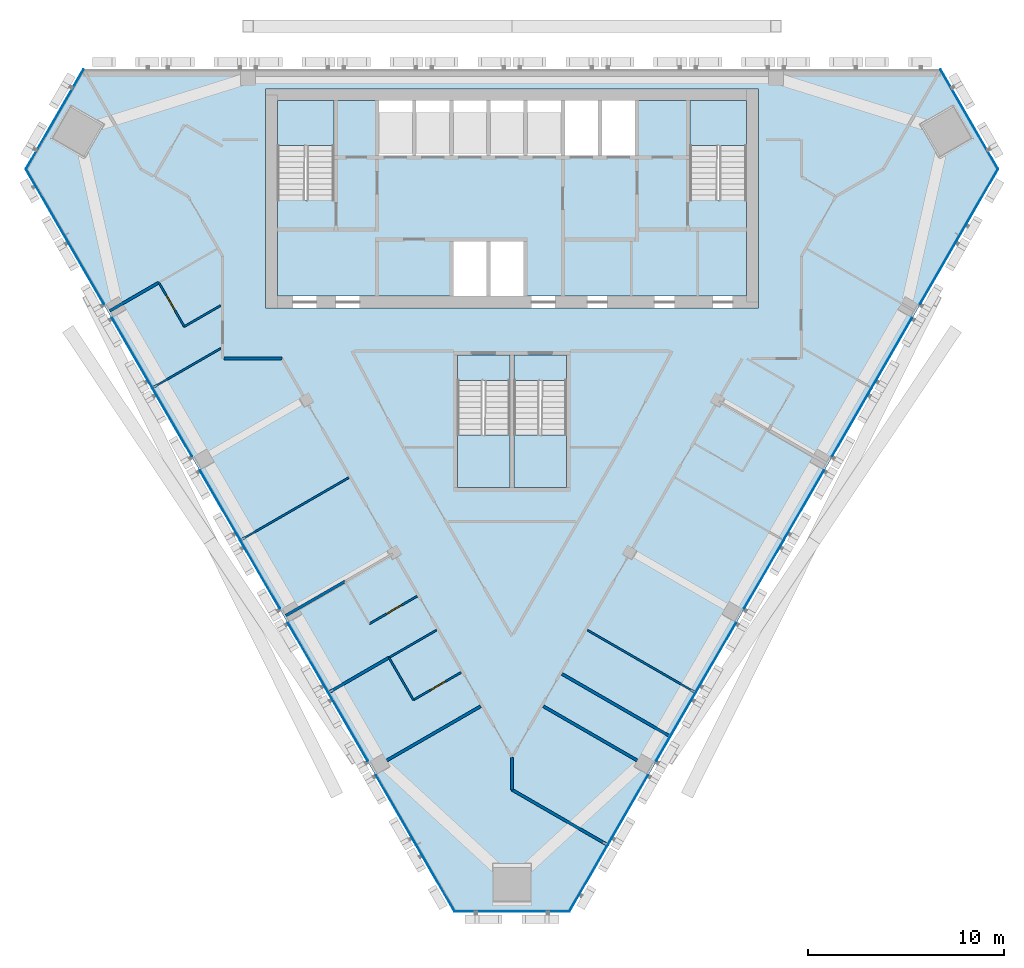
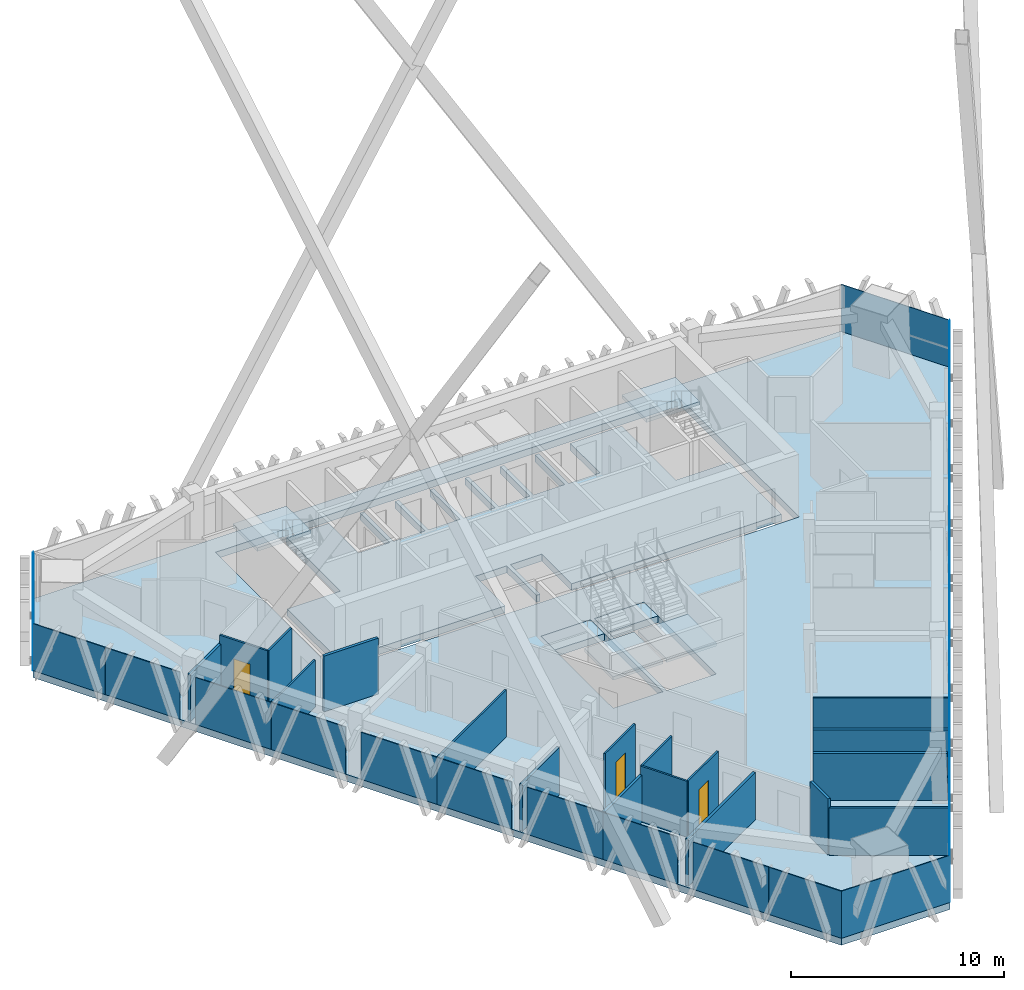
# One storey, part 15 of 22: 23 plates, 18 walls, 8 slabs, 3 doors, 3 openings, 9 elements without a shape of their own.
"""IFC4 building model written with IfcOpenShell, lengths in metres."""

from ifc_helpers import new_model, si_unit, direction, frame, frame_2d, origin, origin_2d, place, context, subcontext, project, spatial, polyline, rectangle, outline, extrude, material, layer, layer_set, type_object, element, fill, aggregate, save


model = new_model("IFC4")

# Units and contexts
model_context = context("Model", 3, precision=1e-05, world=origin(), true_north=direction((0.0, 1.0)))
body_context = subcontext(model_context, "Body", "Model", "MODEL_VIEW")
ifc_project = project(units=[si_unit("LENGTHUNIT", "METRE"), si_unit("AREAUNIT", "SQUARE_METRE"), si_unit("VOLUMEUNIT", "CUBIC_METRE"), si_unit("PLANEANGLEUNIT", "RADIAN"), si_unit("MASSUNIT", "GRAM", prefix="KILO")], contexts=[model_context])

# Site, building, storey
site_placement = place(None, origin())
site = spatial("IfcSite", under=ifc_project, at=site_placement, CompositionType="ELEMENT")
building_placement = place(site_placement, origin())
building = spatial("IfcBuilding", under=site, at=building_placement, Name="Altiplano Prism Tower", CompositionType="ELEMENT")
storey_placement = place(building_placement, frame((0.0, 0.0, 219.39990234375)))
storey = spatial("IfcBuildingStorey", under=building, at=storey_placement, Name="L56", CompositionType="ELEMENT", Elevation=219.39990234375)

# Curtain wall, plate
ifc_material_1 = material(Name="Aluminium and glass", Category="aluminium")
ifc_layer_1 = layer(ifc_material_1, 0.280029296875)
ifc_layer_set_1 = layer_set([ifc_layer_1], Name="Aluminium and glass")
curtain_wall_type = type_object("IfcCurtainWallType", Name="CW1 typical co-living unitised curtain wall", PredefinedType="NOTDEFINED", material=ifc_layer_set_1)
curtain_wall_1_placement = place(storey_placement, origin())
curtain_wall_1 = element("IfcCurtainWall", 1, at=curtain_wall_1_placement, inside=storey, type_object=curtain_wall_type, Name="CW1 curtain wall north-west chamfer L56", PredefinedType="NOTDEFINED")
ifc_material_2 = material(Name="Clear glass", Category="glass")
ifc_layer_2 = layer(ifc_material_2, 0.0400390625)
ifc_layer_set_2 = layer_set([ifc_layer_2], Name="Clear glass")
plate_type = type_object("IfcPlateType", Name="CW1 insulated glass unit 40", PredefinedType="CURTAIN_PANEL", material=ifc_layer_set_2)
plate_1_placement = place(storey_placement, frame((61.609130859375, 102.441162109375, 0.0), z_axis=(0.0, 0.0, 1.0), x_axis=(-0.499999937636, -0.866025439791, 0.0)))
plate_1 = element("IfcPlate", 2, at=plate_1_placement, type_object=plate_type, Name="CW1 panel", PredefinedType="CURTAIN_PANEL", context=body_context, shape_type="SweptSolid", body=[
    extrude(rectangle(XDim=5.87646484375, YDim=0.0400390625, at=origin_2d()), origin(), (0.0, 0.0, 1.0), 2.699951171875),
])
aggregate(curtain_wall_1, [plate_1])

# Curtain wall, plates
curtain_wall_2_placement = place(storey_placement, origin())
curtain_wall_2 = element("IfcCurtainWall", 3, at=curtain_wall_2_placement, inside=storey, type_object=curtain_wall_type, Name="CW1 curtain wall south-west face L56", PredefinedType="NOTDEFINED")
plate_2_placement = place(storey_placement, frame((61.12158203125, 98.20751953125, 0.0), z_axis=(0.0, 0.0, 1.0), x_axis=(0.499999979958, -0.866025415356, 0.0)))
plate_2 = element("IfcPlate", 4, at=plate_2_placement, type_object=plate_type, Name="CW1 panel", PredefinedType="CURTAIN_PANEL", context=body_context, shape_type="SweptSolid", body=[
    extrude(rectangle(XDim=3.9267578125, YDim=0.0400390625, at=origin_2d()), origin(), (0.0, 0.0, 1.0), 2.699951171875),
])
plate_3_placement = place(storey_placement, frame((63.1171875, 94.751220703125, 0.0), z_axis=(0.0, 0.0, 1.0), x_axis=(0.499999979958, -0.866025415356, 0.0)))
plate_3 = element("IfcPlate", 5, at=plate_3_placement, type_object=plate_type, Name="CW1 panel", PredefinedType="CURTAIN_PANEL", context=body_context, shape_type="SweptSolid", body=[
    extrude(rectangle(XDim=4.035400390625, YDim=0.0400390625, at=origin_2d()), origin(), (0.0, 0.0, 1.0), 2.699951171875),
])
plate_4_placement = place(storey_placement, frame((65.57470703125, 90.49462890625, 0.0), z_axis=(0.0, 0.0, 1.0), x_axis=(0.499999979958, -0.866025415356, 0.0)))
plate_4 = element("IfcPlate", 6, at=plate_4_placement, type_object=plate_type, Name="CW1 panel", PredefinedType="CURTAIN_PANEL", context=body_context, shape_type="SweptSolid", body=[
    extrude(rectangle(XDim=4.114501953125, YDim=0.0400390625, at=origin_2d()), origin(), (0.0, 0.0, 1.0), 2.699951171875),
])
plate_5_placement = place(storey_placement, frame((67.6171875, 86.95703125, 0.0), z_axis=(0.0, 0.0, 1.0), x_axis=(0.499999979958, -0.866025415356, 0.0)))
plate_5 = element("IfcPlate", 7, at=plate_5_placement, type_object=plate_type, Name="CW1 panel", PredefinedType="CURTAIN_PANEL", context=body_context, shape_type="SweptSolid", body=[
    extrude(rectangle(XDim=4.035400390625, YDim=0.0400390625, at=origin_2d()), origin(), (0.0, 0.0, 1.0), 2.699951171875),
])
plate_6_placement = place(storey_placement, frame((70.07470703125, 82.700439453125, 0.0), z_axis=(0.0, 0.0, 1.0), x_axis=(0.499999979958, -0.866025415356, 0.0)))
plate_6 = element("IfcPlate", 8, at=plate_6_placement, type_object=plate_type, Name="CW1 panel", PredefinedType="CURTAIN_PANEL", context=body_context, shape_type="SweptSolid", body=[
    extrude(rectangle(XDim=4.114501953125, YDim=0.0400390625, at=origin_2d()), origin(), (0.0, 0.0, 1.0), 2.699951171875),
])
plate_7_placement = place(storey_placement, frame((72.1171875, 79.162841796875, 0.0), z_axis=(0.0, 0.0, 1.0), x_axis=(0.499999979958, -0.866025415356, 0.0)))
plate_7 = element("IfcPlate", 9, at=plate_7_placement, type_object=plate_type, Name="CW1 panel", PredefinedType="CURTAIN_PANEL", context=body_context, shape_type="SweptSolid", body=[
    extrude(rectangle(XDim=4.035400390625, YDim=0.0400390625, at=origin_2d()), origin(), (0.0, 0.0, 1.0), 2.699951171875),
])
plate_8_placement = place(storey_placement, frame((74.57470703125, 74.90625, 0.0), z_axis=(0.0, 0.0, 1.0), x_axis=(0.499999979958, -0.866025415356, 0.0)))
plate_8 = element("IfcPlate", 10, at=plate_8_placement, type_object=plate_type, Name="CW1 panel", PredefinedType="CURTAIN_PANEL", context=body_context, shape_type="SweptSolid", body=[
    extrude(rectangle(XDim=4.114501953125, YDim=0.0400390625, at=origin_2d()), origin(), (0.0, 0.0, 1.0), 2.699951171875),
])
plate_9_placement = place(storey_placement, frame((76.6171875, 71.36865234375, 0.0), z_axis=(0.0, 0.0, 1.0), x_axis=(0.499999979958, -0.866025415356, 0.0)))
plate_9 = element("IfcPlate", 11, at=plate_9_placement, type_object=plate_type, Name="CW1 panel", PredefinedType="CURTAIN_PANEL", context=body_context, shape_type="SweptSolid", body=[
    extrude(rectangle(XDim=4.035400390625, YDim=0.0400390625, at=origin_2d()), origin(), (0.0, 0.0, 1.0), 2.699951171875),
])
plate_10_placement = place(storey_placement, frame((79.07470703125, 67.112060546875, 0.0), z_axis=(0.0, 0.0, 1.0), x_axis=(0.499999979958, -0.866025415356, 0.0)))
plate_10 = element("IfcPlate", 12, at=plate_10_placement, type_object=plate_type, Name="CW1 panel", PredefinedType="CURTAIN_PANEL", context=body_context, shape_type="SweptSolid", body=[
    extrude(rectangle(XDim=4.114501953125, YDim=0.0400390625, at=origin_2d()), origin(), (0.0, 0.0, 1.0), 2.699951171875),
])
plate_11_placement = place(storey_placement, frame((81.08984375, 63.621337890625, 0.0), z_axis=(0.0, 0.0, 1.0), x_axis=(0.499999979958, -0.866025415356, 0.0)))
plate_11 = element("IfcPlate", 13, at=plate_11_placement, type_object=plate_type, Name="CW1 panel", PredefinedType="CURTAIN_PANEL", context=body_context, shape_type="SweptSolid", body=[
    extrude(rectangle(XDim=3.9267578125, YDim=0.0400390625, at=origin_2d()), origin(), (0.0, 0.0, 1.0), 2.699951171875),
])
aggregate(curtain_wall_2, [plate_2, plate_3, plate_4, plate_5, plate_6, plate_7, plate_8, plate_9, plate_10, plate_11])

# Curtain wall, plate
curtain_wall_3_placement = place(storey_placement, origin())
curtain_wall_3 = element("IfcCurtainWall", 14, at=curtain_wall_3_placement, inside=storey, type_object=curtain_wall_type, Name="CW1 curtain wall south chamfer L56", PredefinedType="NOTDEFINED")
plate_12_placement = place(storey_placement, frame((85.0, 61.9267578125, 0.0), z_axis=(0.0, 0.0, 1.0), x_axis=(1.0, 0.0, 0.0)))
plate_12 = element("IfcPlate", 15, at=plate_12_placement, type_object=plate_type, Name="CW1 panel", PredefinedType="CURTAIN_PANEL", context=body_context, shape_type="SweptSolid", body=[
    extrude(rectangle(XDim=5.87646484375, YDim=0.0400390625, at=origin_2d()), origin(), (0.0, 0.0, 1.0), 2.699951171875),
])
aggregate(curtain_wall_3, [plate_12])

# Curtain wall, plates
curtain_wall_4_placement = place(storey_placement, origin())
curtain_wall_4 = element("IfcCurtainWall", 16, at=curtain_wall_4_placement, inside=storey, type_object=curtain_wall_type, Name="CW1 curtain wall south-east face L56", PredefinedType="NOTDEFINED")
plate_13_placement = place(storey_placement, frame((88.91015625, 63.621337890625, 0.0), z_axis=(0.0, 0.0, 1.0), x_axis=(0.499999979958, 0.866025415356, 0.0)))
plate_13 = element("IfcPlate", 17, at=plate_13_placement, type_object=plate_type, Name="CW1 panel", PredefinedType="CURTAIN_PANEL", context=body_context, shape_type="SweptSolid", body=[
    extrude(rectangle(XDim=3.9267578125, YDim=0.0400390625, at=origin_2d()), origin(), (0.0, 0.0, 1.0), 2.699951171875),
])
plate_14_placement = place(storey_placement, frame((90.92529296875, 67.112060546875, 0.0), z_axis=(0.0, 0.0, 1.0), x_axis=(0.499999979958, 0.866025415356, 0.0)))
plate_14 = element("IfcPlate", 18, at=plate_14_placement, type_object=plate_type, Name="CW1 panel", PredefinedType="CURTAIN_PANEL", context=body_context, shape_type="SweptSolid", body=[
    extrude(rectangle(XDim=4.114501953125, YDim=0.0400390625, at=origin_2d()), origin(), (0.0, 0.0, 1.0), 2.699951171875),
])
plate_15_placement = place(storey_placement, frame((93.3828125, 71.36865234375, 0.0), z_axis=(0.0, 0.0, 1.0), x_axis=(0.499999979958, 0.866025415356, 0.0)))
plate_15 = element("IfcPlate", 19, at=plate_15_placement, type_object=plate_type, Name="CW1 panel", PredefinedType="CURTAIN_PANEL", context=body_context, shape_type="SweptSolid", body=[
    extrude(rectangle(XDim=4.035400390625, YDim=0.0400390625, at=origin_2d()), origin(), (0.0, 0.0, 1.0), 2.699951171875),
])
plate_16_placement = place(storey_placement, frame((95.42529296875, 74.90625, 0.0), z_axis=(0.0, 0.0, 1.0), x_axis=(0.499999979958, 0.866025415356, 0.0)))
plate_16 = element("IfcPlate", 20, at=plate_16_placement, type_object=plate_type, Name="CW1 panel", PredefinedType="CURTAIN_PANEL", context=body_context, shape_type="SweptSolid", body=[
    extrude(rectangle(XDim=4.114501953125, YDim=0.0400390625, at=origin_2d()), origin(), (0.0, 0.0, 1.0), 2.699951171875),
])
plate_17_placement = place(storey_placement, frame((97.8828125, 79.162841796875, 0.0), z_axis=(0.0, 0.0, 1.0), x_axis=(0.499999979958, 0.866025415356, 0.0)))
plate_17 = element("IfcPlate", 21, at=plate_17_placement, type_object=plate_type, Name="CW1 panel", PredefinedType="CURTAIN_PANEL", context=body_context, shape_type="SweptSolid", body=[
    extrude(rectangle(XDim=4.035400390625, YDim=0.0400390625, at=origin_2d()), origin(), (0.0, 0.0, 1.0), 2.699951171875),
])
plate_18_placement = place(storey_placement, frame((99.92529296875, 82.700439453125, 0.0), z_axis=(0.0, 0.0, 1.0), x_axis=(0.499999979958, 0.866025415356, 0.0)))
plate_18 = element("IfcPlate", 22, at=plate_18_placement, type_object=plate_type, Name="CW1 panel", PredefinedType="CURTAIN_PANEL", context=body_context, shape_type="SweptSolid", body=[
    extrude(rectangle(XDim=4.114501953125, YDim=0.0400390625, at=origin_2d()), origin(), (0.0, 0.0, 1.0), 2.699951171875),
])
plate_19_placement = place(storey_placement, frame((102.3828125, 86.95703125, 0.0), z_axis=(0.0, 0.0, 1.0), x_axis=(0.499999979958, 0.866025415356, 0.0)))
plate_19 = element("IfcPlate", 23, at=plate_19_placement, type_object=plate_type, Name="CW1 panel", PredefinedType="CURTAIN_PANEL", context=body_context, shape_type="SweptSolid", body=[
    extrude(rectangle(XDim=4.035400390625, YDim=0.0400390625, at=origin_2d()), origin(), (0.0, 0.0, 1.0), 2.699951171875),
])
plate_20_placement = place(storey_placement, frame((104.42529296875, 90.49462890625, 0.0), z_axis=(0.0, 0.0, 1.0), x_axis=(0.499999979958, 0.866025415356, 0.0)))
plate_20 = element("IfcPlate", 24, at=plate_20_placement, type_object=plate_type, Name="CW1 panel", PredefinedType="CURTAIN_PANEL", context=body_context, shape_type="SweptSolid", body=[
    extrude(rectangle(XDim=4.114501953125, YDim=0.0400390625, at=origin_2d()), origin(), (0.0, 0.0, 1.0), 2.699951171875),
])
plate_21_placement = place(storey_placement, frame((106.8828125, 94.751220703125, 0.0), z_axis=(0.0, 0.0, 1.0), x_axis=(0.499999979958, 0.866025415356, 0.0)))
plate_21 = element("IfcPlate", 25, at=plate_21_placement, type_object=plate_type, Name="CW1 panel", PredefinedType="CURTAIN_PANEL", context=body_context, shape_type="SweptSolid", body=[
    extrude(rectangle(XDim=4.035400390625, YDim=0.0400390625, at=origin_2d()), origin(), (0.0, 0.0, 1.0), 2.699951171875),
])
plate_22_placement = place(storey_placement, frame((108.87841796875, 98.20751953125, 0.0), z_axis=(0.0, 0.0, 1.0), x_axis=(0.499999979958, 0.866025415356, 0.0)))
plate_22 = element("IfcPlate", 26, at=plate_22_placement, type_object=plate_type, Name="CW1 panel", PredefinedType="CURTAIN_PANEL", context=body_context, shape_type="SweptSolid", body=[
    extrude(rectangle(XDim=3.9267578125, YDim=0.0400390625, at=origin_2d()), origin(), (0.0, 0.0, 1.0), 2.699951171875),
])
aggregate(curtain_wall_4, [plate_13, plate_14, plate_15, plate_16, plate_17, plate_18, plate_19, plate_20, plate_21, plate_22])

# Curtain wall, plate
curtain_wall_5_placement = place(storey_placement, origin())
curtain_wall_5 = element("IfcCurtainWall", 27, at=curtain_wall_5_placement, inside=storey, type_object=curtain_wall_type, Name="CW1 curtain wall north-east chamfer L56", PredefinedType="NOTDEFINED")
plate_23_placement = place(storey_placement, frame((108.390869140625, 102.441162109375, 0.0), z_axis=(0.0, 0.0, 1.0), x_axis=(-0.499999937636, 0.866025439791, 0.0)))
plate_23 = element("IfcPlate", 28, at=plate_23_placement, type_object=plate_type, Name="CW1 panel", PredefinedType="CURTAIN_PANEL", context=body_context, shape_type="SweptSolid", body=[
    extrude(rectangle(XDim=5.87646484375, YDim=0.0400390625, at=origin_2d()), origin(), (0.0, 0.0, 1.0), 2.699951171875),
])
aggregate(curtain_wall_5, [plate_23])

# Slabs
ifc_material_3 = material(Name="Concrete C40/50", Category="concrete")
ifc_layer_3 = layer(ifc_material_3, 0.39990234375)
ifc_layer_set_3 = layer_set([ifc_layer_3], Name="Concrete C40/50")
slab_type_1 = type_object("IfcSlabType", Name="Core floor slab 400", PredefinedType="FLOOR", material=ifc_layer_set_3)
slab_1_placement = place(storey_placement, frame((0.0, 0.0, -0.39990234375)))
element("IfcSlab", 29, at=slab_1_placement, inside=storey, type_object=slab_type_1, Name="Core floor slab L56", PredefinedType="FLOOR", context=body_context, shape_type="SweptSolid", body=[
    extrude(outline(polyline([(97.0, 98.31005859375), (94.10009765625, 98.31005859375), (94.10009765625, 103.39990234375), (91.300048828125, 103.39990234375), (91.300048828125, 100.60009765625), (89.60009765625, 100.60009765625), (89.60009765625, 103.39990234375), (89.39990234375, 103.39990234375), (89.39990234375, 100.60009765625), (87.699951171875, 100.60009765625), (87.699951171875, 103.39990234375), (87.5, 103.39990234375), (87.5, 100.60009765625), (85.800048828125, 100.60009765625), (85.800048828125, 103.39990234375), (85.60009765625, 103.39990234375), (85.60009765625, 100.60009765625), (83.89990234375, 100.60009765625), (83.89990234375, 103.39990234375), (83.699951171875, 103.39990234375), (83.699951171875, 100.60009765625), (82.0, 100.60009765625), (82.0, 103.39990234375), (81.800048828125, 103.39990234375), (81.800048828125, 100.60009765625), (80.10009765625, 100.60009765625), (80.10009765625, 103.39990234375), (79.89990234375, 103.39990234375), (79.89990234375, 100.60009765625), (78.199951171875, 100.60009765625), (78.199951171875, 103.39990234375), (75.89990234375, 103.39990234375), (75.89990234375, 98.31005859375), (73.0, 98.31005859375), (73.0, 93.39990234375), (82.0, 93.39990234375), (82.0, 96.199951171875), (83.699951171875, 96.199951171875), (83.699951171875, 93.39990234375), (83.89990234375, 93.39990234375), (83.89990234375, 96.199951171875), (85.60009765625, 96.199951171875), (85.60009765625, 93.39990234375), (97.0, 93.39990234375), (97.0, 98.31005859375)])), origin(), (0.0, 0.0, 1.0), 0.39990234375),
])
slab_2_placement = place(storey_placement, frame((0.0, 0.0, -0.39990234375)))
element("IfcSlab", 30, at=slab_2_placement, inside=storey, type_object=slab_type_1, Name="Stair 3A landing slab L56", PredefinedType="FLOOR", context=body_context, shape_type="SweptSolid", body=[
    extrude(outline(polyline([(82.199951171875, 89.096923828125), (84.89990234375, 89.096923828125), (84.89990234375, 90.39990234375), (82.199951171875, 90.39990234375), (82.199951171875, 89.096923828125)])), origin(), (0.0, 0.0, 1.0), 0.39990234375),
])
slab_3_placement = place(storey_placement, frame((0.0, 0.0, -0.39990234375)))
element("IfcSlab", 31, at=slab_3_placement, inside=storey, type_object=slab_type_1, Name="Stair 3B landing slab L56", PredefinedType="FLOOR", context=body_context, shape_type="SweptSolid", body=[
    extrude(outline(polyline([(85.10009765625, 89.096923828125), (87.800048828125, 89.096923828125), (87.800048828125, 90.39990234375), (85.10009765625, 90.39990234375), (85.10009765625, 89.096923828125)])), origin(), (0.0, 0.0, 1.0), 0.39990234375),
])
ifc_layer_4 = layer(ifc_material_3, 0.39990234375)
ifc_layer_set_4 = layer_set([ifc_layer_4], Name="Concrete C40/50")
slab_type_2 = type_object("IfcSlabType", Name="Post-tensioned flat slab 400", PredefinedType="FLOOR", material=ifc_layer_set_4)
slab_4_placement = place(storey_placement, frame((0.0, 0.0, -0.39990234375)))
element("IfcSlab", 32, at=slab_4_placement, inside=storey, type_object=slab_type_2, Name="Floor slab L56", PredefinedType="FLOOR", context=body_context, shape_type="SweptSolid", body=[
    extrude(outline(polyline([(82.056884765625, 61.90673828125), (60.1201171875, 99.90234375), (63.063232421875, 105.0), (106.936767578125, 105.0), (109.8798828125, 99.90234375), (87.943115234375, 61.90673828125), (82.056884765625, 61.90673828125)]), holes=[polyline([(72.39990234375, 104.0), (72.39990234375, 92.800048828125), (97.60009765625, 92.800048828125), (97.60009765625, 104.0), (72.39990234375, 104.0)]), polyline([(84.89990234375, 90.39990234375), (82.199951171875, 90.39990234375), (82.199951171875, 83.60009765625), (84.89990234375, 83.60009765625), (84.89990234375, 90.39990234375)]), polyline([(87.800048828125, 83.60009765625), (87.800048828125, 90.39990234375), (85.10009765625, 90.39990234375), (85.10009765625, 83.60009765625), (87.800048828125, 83.60009765625)])]), origin(), (0.0, 0.0, 1.0), 0.39990234375),
])

# Stair, slab
stair_type_1 = type_object("IfcStairType", Name="Exit stair 1400", PredefinedType="HALF_TURN_STAIR", material=ifc_material_3)
stair_1_placement = place(storey_placement, origin())
stair_1 = element("IfcStair", 33, at=stair_1_placement, inside=storey, type_object=stair_type_1, Name="L56 Exit Stair 1", PredefinedType="HALF_TURN_STAIR")
ifc_layer_5 = layer(ifc_material_3, 0.199951171875)
ifc_layer_set_5 = layer_set([ifc_layer_5], Name="Concrete C40/50")
slab_type_3 = type_object("IfcSlabType", Name="Stair landing 200", PredefinedType="LANDING", material=ifc_layer_set_5)
slab_5_placement = place(storey_placement, frame((0.0, 0.0, 1.60009765625)))
slab_5 = element("IfcSlab", 34, at=slab_5_placement, type_object=slab_type_3, Name="ST1 landing 1", PredefinedType="LANDING", context=body_context, shape_type="SweptSolid", body=[
    extrude(outline(polyline([(75.89990234375, 101.096923828125), (75.89990234375, 103.39990234375), (73.0, 103.39990234375), (73.0, 101.096923828125), (75.89990234375, 101.096923828125)])), origin(), (0.0, 0.0, 1.0), 0.199951171875),
])
aggregate(stair_1, [slab_5])

stair_2_placement = place(storey_placement, origin())
stair_2 = element("IfcStair", 35, at=stair_2_placement, inside=storey, type_object=stair_type_1, Name="L56 Exit Stair 2", PredefinedType="HALF_TURN_STAIR")
slab_6_placement = place(storey_placement, frame((0.0, 0.0, 1.60009765625)))
slab_6 = element("IfcSlab", 36, at=slab_6_placement, type_object=slab_type_3, Name="ST2 landing 1", PredefinedType="LANDING", context=body_context, shape_type="SweptSolid", body=[
    extrude(outline(polyline([(97.0, 101.096923828125), (97.0, 103.39990234375), (94.10009765625, 103.39990234375), (94.10009765625, 101.096923828125), (97.0, 101.096923828125)])), origin(), (0.0, 0.0, 1.0), 0.199951171875),
])
aggregate(stair_2, [slab_6])

stair_type_2 = type_object("IfcStairType", Name="Exit stair 1300", PredefinedType="HALF_TURN_STAIR", material=ifc_material_3)
stair_3_placement = place(storey_placement, origin())
stair_3 = element("IfcStair", 37, at=stair_3_placement, inside=storey, type_object=stair_type_2, Name="L56 Exit Stair 3A", PredefinedType="HALF_TURN_STAIR")
slab_7_placement = place(storey_placement, frame((0.0, 0.0, 1.60009765625)))
slab_7 = element("IfcSlab", 38, at=slab_7_placement, type_object=slab_type_3, Name="ST3A landing 1", PredefinedType="LANDING", context=body_context, shape_type="SweptSolid", body=[
    extrude(outline(polyline([(82.199951171875, 86.302978515625), (82.199951171875, 83.60009765625), (84.89990234375, 83.60009765625), (84.89990234375, 86.302978515625), (82.199951171875, 86.302978515625)])), origin(), (0.0, 0.0, 1.0), 0.199951171875),
])
aggregate(stair_3, [slab_7])

stair_4_placement = place(storey_placement, origin())
stair_4 = element("IfcStair", 39, at=stair_4_placement, inside=storey, type_object=stair_type_2, Name="L56 Exit Stair 3B", PredefinedType="HALF_TURN_STAIR")
slab_8_placement = place(storey_placement, frame((0.0, 0.0, 1.60009765625)))
slab_8 = element("IfcSlab", 40, at=slab_8_placement, type_object=slab_type_3, Name="ST3B landing 1", PredefinedType="LANDING", context=body_context, shape_type="SweptSolid", body=[
    extrude(outline(polyline([(85.10009765625, 86.302978515625), (85.10009765625, 83.60009765625), (87.800048828125, 83.60009765625), (87.800048828125, 86.302978515625), (85.10009765625, 86.302978515625)])), origin(), (0.0, 0.0, 1.0), 0.199951171875),
])
aggregate(stair_4, [slab_8])

# Wall
ifc_material_4 = material(Name="Plasterboard on steel stud", Category="steel")
ifc_layer_6 = layer(ifc_material_4, 0.10009765625)
ifc_layer_set_6 = layer_set([ifc_layer_6], Name="Plasterboard on steel stud")
wall_type_1 = type_object("IfcWallType", Name="Partition 100 unit", PredefinedType="PARTITIONING", material=ifc_layer_set_6)
wall_1_placement = place(storey_placement, frame((70.100341796875, 92.92041015625, 0.0), z_axis=(0.0, 0.0, 1.0), x_axis=(-0.866000447062, -0.500043223821, 0.0)))
element("IfcWall", 41, at=wall_1_placement, inside=storey, type_object=wall_type_1, Name="Partition P02 L56 029", PredefinedType="PARTITIONING", context=body_context, shape_type="SweptSolid", body=[
    extrude(rectangle(XDim=2.152099609375, YDim=0.10009765625, at=frame_2d((1.076171875, 0.0))), origin(), (0.0, 0.0, 1.0), 3.2001953125),
])

# Wall, opening, door
wall_2_placement = place(storey_placement, frame((68.236572265625, 91.84423828125, 0.0), z_axis=(0.0, 0.0, 1.0), x_axis=(-0.500006934395, 0.866021400173, 0.0)))
wall_2 = element("IfcWall", 42, at=wall_2_placement, inside=storey, type_object=wall_type_1, Name="Partition P02 L56 030", PredefinedType="PARTITIONING", context=body_context, shape_type="SweptSolid", body=[
    extrude(rectangle(XDim=2.60009765625, YDim=0.10009765625, at=frame_2d((1.300048828125, 0.0))), origin(), (0.0, 0.0, 1.0), 3.2001953125),
])
opening_1_placement = place(wall_2_placement, frame((0.948974609375, 0.0, 0.0)))
opening_1 = element("IfcOpeningElement", 43, at=opening_1_placement, cuts=wall_2, Name="Opening D1877", PredefinedType="OPENING", context=body_context, shape_type="SweptSolid", body=[
    extrude(rectangle(XDim=0.89990234375, YDim=2.10009765625, at=frame_2d((0.449951171875, 1.050048828125))), frame((0.0, 0.060546875, 0.0), z_axis=(0.0, -1.0, 0.0), x_axis=(1.0, 0.0, 0.0)), (0.0, 0.0, 1.0), 0.12109375),
])
ifc_material_5 = material(Name="Timber", Category="wood")
door_type_1 = type_object("IfcDoorType", Name="Accessible ensuite door 900 x 2100", OperationType="NOTDEFINED", PredefinedType="NOTDEFINED", material=ifc_material_5)
door_1_placement = place(opening_1_placement, origin())
door_1 = element("IfcDoor", 44, at=door_1_placement, inside=storey, type_object=door_type_1, Name="Door D1877", OperationType="SINGLE_SWING_LEFT", OverallHeight=2.10009765625, OverallWidth=0.89990234375, PredefinedType="NOTDEFINED", context=body_context, shape_type="SweptSolid", body=[
    extrude(rectangle(XDim=0.89990234375, YDim=2.10009765625, at=frame_2d((0.449951171875, 1.050048828125))), frame((0.0, 0.02490234375, 0.0), z_axis=(0.0, -1.0, 0.0), x_axis=(1.0, 0.0, 0.0)), (0.0, 0.0, 1.0), 0.050048828125),
])
fill(opening_1, door_1)

wall_3_placement = place(storey_placement, frame((80.152587890625, 78.054931640625, 0.0), z_axis=(0.0, 0.0, 1.0), x_axis=(-0.866011447264, -0.500024172624, 0.0)))
wall_3 = element("IfcWall", 45, at=wall_3_placement, inside=storey, type_object=wall_type_1, Name="Partition P02 L56 035", PredefinedType="PARTITIONING", context=body_context, shape_type="SweptSolid", body=[
    extrude(rectangle(XDim=2.824951171875, YDim=0.10009765625, at=frame_2d((1.41259765625, 0.0))), origin(), (0.0, 0.0, 1.0), 3.2001953125),
])
opening_2_placement = place(wall_3_placement, frame((0.925048828125, 0.0, 0.0)))
opening_2 = element("IfcOpeningElement", 46, at=opening_2_placement, cuts=wall_3, Name="Opening D1881", PredefinedType="OPENING", context=body_context, shape_type="SweptSolid", body=[
    extrude(rectangle(XDim=0.89990234375, YDim=2.10009765625, at=frame_2d((0.449951171875, 1.050048828125))), frame((0.0, 0.060546875, 0.0), z_axis=(0.0, -1.0, 0.0), x_axis=(1.0, 0.0, 0.0)), (0.0, 0.0, 1.0), 0.12109375),
])
door_type_2 = type_object("IfcDoorType", Name="Ensuite door 900 x 2100", OperationType="NOTDEFINED", PredefinedType="NOTDEFINED", material=ifc_material_5)
door_2_placement = place(opening_2_placement, origin())
door_2 = element("IfcDoor", 47, at=door_2_placement, inside=storey, type_object=door_type_2, Name="Door D1881", OperationType="SINGLE_SWING_LEFT", OverallHeight=2.10009765625, OverallWidth=0.89990234375, PredefinedType="NOTDEFINED", context=body_context, shape_type="SweptSolid", body=[
    extrude(rectangle(XDim=0.89990234375, YDim=2.10009765625, at=frame_2d((0.449951171875, 1.050048828125))), frame((0.0, 0.02490234375, 0.0), z_axis=(0.0, -1.0, 0.0), x_axis=(1.0, 0.0, 0.0)), (0.0, 0.0, 1.0), 0.050048828125),
])
fill(opening_2, door_2)

wall_4_placement = place(storey_placement, frame((82.402587890625, 74.15771484375, 0.0), z_axis=(0.0, 0.0, 1.0), x_axis=(-0.866011447264, -0.500024172624, 0.0)))
wall_4 = element("IfcWall", 48, at=wall_4_placement, inside=storey, type_object=wall_type_1, Name="Partition P02 L56 039", PredefinedType="PARTITIONING", context=body_context, shape_type="SweptSolid", body=[
    extrude(rectangle(XDim=2.824951171875, YDim=0.10009765625, at=frame_2d((1.41259765625, 0.0))), origin(), (0.0, 0.0, 1.0), 3.2001953125),
])
opening_3_placement = place(wall_4_placement, frame((0.925048828125, 0.0, 0.0)))
opening_3 = element("IfcOpeningElement", 49, at=opening_3_placement, cuts=wall_4, Name="Opening D1883", PredefinedType="OPENING", context=body_context, shape_type="SweptSolid", body=[
    extrude(rectangle(XDim=0.89990234375, YDim=2.10009765625, at=frame_2d((0.449951171875, 1.050048828125))), frame((0.0, 0.060546875, 0.0), z_axis=(0.0, -1.0, 0.0), x_axis=(1.0, 0.0, 0.0)), (0.0, 0.0, 1.0), 0.12109375),
])
door_3_placement = place(opening_3_placement, origin())
door_3 = element("IfcDoor", 50, at=door_3_placement, inside=storey, type_object=door_type_2, Name="Door D1883", OperationType="SINGLE_SWING_LEFT", OverallHeight=2.10009765625, OverallWidth=0.89990234375, PredefinedType="NOTDEFINED", context=body_context, shape_type="SweptSolid", body=[
    extrude(rectangle(XDim=0.89990234375, YDim=2.10009765625, at=frame_2d((0.449951171875, 1.050048828125))), frame((0.0, 0.02490234375, 0.0), z_axis=(0.0, -1.0, 0.0), x_axis=(1.0, 0.0, 0.0)), (0.0, 0.0, 1.0), 0.050048828125),
])
fill(opening_3, door_3)

# Walls
wall_5_placement = place(storey_placement, frame((79.9560546875, 72.7451171875, 0.0), z_axis=(0.0, 0.0, 1.0), x_axis=(-0.499961950354, 0.866047370643, 0.0)))
element("IfcWall", 51, at=wall_5_placement, inside=storey, type_object=wall_type_1, Name="Partition P02 L56 040", PredefinedType="PARTITIONING", context=body_context, shape_type="SweptSolid", body=[
    extrude(rectangle(XDim=2.500244140625, YDim=0.10009765625, at=frame_2d((1.25, 0.0))), origin(), (0.0, 0.0, 1.0), 3.2001953125),
])
ifc_layer_7 = layer(ifc_material_4, 0.10009765625)
ifc_layer_set_7 = layer_set([ifc_layer_7], Name="Plasterboard on steel stud")
wall_type_2 = type_object("IfcWallType", Name="Partition 100 wet", PredefinedType="PARTITIONING", material=ifc_layer_set_7)
wall_6_placement = place(storey_placement, frame((66.657470703125, 88.738525390625, 0.0), z_axis=(0.0, 0.0, 1.0), x_axis=(0.866024026425, 0.500002385648, 0.0)))
element("IfcWall", 52, at=wall_6_placement, inside=storey, type_object=wall_type_2, Name="Partition P03 L56 031", PredefinedType="PARTITIONING", context=body_context, shape_type="SweptSolid", body=[
    extrude(rectangle(XDim=3.97607421875, YDim=0.10009765625, at=frame_2d((1.988037109375, 0.0))), origin(), (0.0, 0.0, 1.0), 2.7001953125),
])
wall_7_placement = place(storey_placement, frame((71.157470703125, 80.9443359375, 0.0), z_axis=(0.0, 0.0, 1.0), x_axis=(0.866025401434, 0.500000004071, 0.0)))
element("IfcWall", 53, at=wall_7_placement, inside=storey, type_object=wall_type_2, Name="Partition P03 L56 032", PredefinedType="PARTITIONING", context=body_context, shape_type="SweptSolid", body=[
    extrude(rectangle(XDim=6.34521484375, YDim=0.10009765625, at=frame_2d((3.172607421875, 0.0))), origin(), (0.0, 0.0, 1.0), 2.7001953125),
])
wall_8_placement = place(storey_placement, frame((78.7060546875, 74.910400390625, 0.0), z_axis=(0.0, 0.0, 1.0), x_axis=(0.866048868473, 0.499959355765, 0.0)))
element("IfcWall", 54, at=wall_8_placement, inside=storey, type_object=wall_type_2, Name="Partition P03 L56 038", PredefinedType="PARTITIONING", context=body_context, shape_type="SweptSolid", body=[
    extrude(rectangle(XDim=2.824951171875, YDim=0.10009765625, at=frame_2d((1.41259765625, 0.0))), origin(), (0.0, 0.0, 1.0), 3.2001953125),
])
wall_9_placement = place(storey_placement, frame((94.342529296875, 73.150146484375, 0.0), z_axis=(0.0, 0.0, 1.0), x_axis=(-0.866025401434, 0.500000004071, 0.0)))
element("IfcWall", 55, at=wall_9_placement, inside=storey, type_object=wall_type_2, Name="Partition P03 L56 046", PredefinedType="PARTITIONING", context=body_context, shape_type="SweptSolid", body=[
    extrude(rectangle(XDim=6.34521484375, YDim=0.10009765625, at=frame_2d((3.172607421875, 0.0))), origin(), (0.0, 0.0, 1.0), 2.7001953125),
])
ifc_layer_8 = layer(ifc_material_4, 0.14990234375)
ifc_layer_set_8 = layer_set([ifc_layer_8], Name="Plasterboard on steel stud")
wall_type_3 = type_object("IfcWallType", Name="Partition 150 corridor", PredefinedType="PARTITIONING", material=ifc_layer_set_8)
wall_10_placement = place(storey_placement, frame((70.27587890625, 90.199951171875, 0.0), z_axis=(0.0, 0.0, 1.0), x_axis=(1.0, 0.0, 0.0)))
element("IfcWall", 56, at=wall_10_placement, inside=storey, type_object=wall_type_3, Name="Partition P06 L56 010", PredefinedType="PARTITIONING", context=body_context, shape_type="SweptSolid", body=[
    extrude(rectangle(XDim=2.951416015625, YDim=0.14990234375, at=frame_2d((1.4755859375, 0.0))), origin(), (0.0, 0.0, 1.0), 3.2001953125),
])
ifc_layer_9 = layer(ifc_material_4, 0.14990234375)
ifc_layer_set_9 = layer_set([ifc_layer_9], Name="Plasterboard on steel stud")
wall_type_4 = type_object("IfcWallType", Name="Partition 150 party", PredefinedType="PARTITIONING", material=ifc_layer_set_9)
wall_11_placement = place(storey_placement, frame((64.425048828125, 92.645751953125, 0.0), z_axis=(0.0, 0.0, 1.0), x_axis=(0.865996321171, 0.50005036918, 0.0)))
element("IfcWall", 57, at=wall_11_placement, inside=storey, type_object=wall_type_4, Name="Partition P01 L56 025", PredefinedType="PARTITIONING", context=body_context, shape_type="SweptSolid", body=[
    extrude(rectangle(XDim=2.900146484375, YDim=0.14990234375, at=frame_2d((1.4501953125, 0.0))), origin(), (0.0, 0.0, 1.0), 2.7001953125),
])
wall_12_placement = place(storey_placement, frame((73.425048828125, 77.057373046875, 0.0), z_axis=(0.0, 0.0, 1.0), x_axis=(0.866019471182, 0.500010275428, 0.0)))
element("IfcWall", 58, at=wall_12_placement, inside=storey, type_object=wall_type_4, Name="Partition P01 L56 033", PredefinedType="PARTITIONING", context=body_context, shape_type="SweptSolid", body=[
    extrude(rectangle(XDim=3.5, YDim=0.14990234375, at=frame_2d((1.75, 0.0))), origin(), (0.0, 0.0, 1.0), 2.7001953125),
])
wall_13_placement = place(storey_placement, frame((75.657470703125, 73.150146484375, 0.0), z_axis=(0.0, 0.0, 1.0), x_axis=(0.866006568332, 0.500032622541, 0.0)))
element("IfcWall", 59, at=wall_13_placement, inside=storey, type_object=wall_type_4, Name="Partition P01 L56 037", PredefinedType="PARTITIONING", context=body_context, shape_type="SweptSolid", body=[
    extrude(rectangle(XDim=3.520263671875, YDim=0.14990234375, at=frame_2d((1.76025390625, 0.0))), origin(), (0.0, 0.0, 1.0), 2.7001953125),
])
wall_14_placement = place(storey_placement, frame((77.925048828125, 69.26318359375, 0.0), z_axis=(0.0, 0.0, 1.0), x_axis=(0.866015887322, 0.500016482634, 0.0)))
element("IfcWall", 60, at=wall_14_placement, inside=storey, type_object=wall_type_4, Name="Partition P01 L56 041", PredefinedType="PARTITIONING", context=body_context, shape_type="SweptSolid", body=[
    extrude(rectangle(XDim=6.324951171875, YDim=0.14990234375, at=frame_2d((3.16259765625, 0.0))), origin(), (0.0, 0.0, 1.0), 2.7001953125),
])
wall_15_placement = place(storey_placement, frame((89.842529296875, 65.35595703125, 0.0), z_axis=(0.0, 0.0, 1.0), x_axis=(-0.866020537172, 0.500008429125, 0.0)))
element("IfcWall", 61, at=wall_15_placement, inside=storey, type_object=wall_type_4, Name="Partition P01 L56 042", PredefinedType="PARTITIONING", context=body_context, shape_type="SweptSolid", body=[
    extrude(rectangle(XDim=5.591796875, YDim=0.14990234375, at=frame_2d((2.7958984375, 0.0))), origin(), (0.0, 0.0, 1.0), 2.7001953125),
])
wall_16_placement = place(storey_placement, frame((85.0, 68.15185546875, 0.0), z_axis=(0.0, 0.0, 1.0), x_axis=(0.0, 1.0, 0.0)))
element("IfcWall", 62, at=wall_16_placement, inside=storey, type_object=wall_type_4, Name="Partition P01 L56 043", PredefinedType="PARTITIONING", context=body_context, shape_type="SweptSolid", body=[
    extrude(rectangle(XDim=1.6572265625, YDim=0.14990234375, at=frame_2d((0.82861328125, 0.0))), origin(), (0.0, 0.0, 1.0), 3.2001953125),
])
wall_17_placement = place(storey_placement, frame((92.074951171875, 69.26318359375, 0.0), z_axis=(0.0, 0.0, 1.0), x_axis=(-0.866015887322, 0.500016482634, 0.0)))
element("IfcWall", 63, at=wall_17_placement, inside=storey, type_object=wall_type_4, Name="Partition P01 L56 044", PredefinedType="PARTITIONING", context=body_context, shape_type="SweptSolid", body=[
    extrude(rectangle(XDim=6.324951171875, YDim=0.14990234375, at=frame_2d((3.16259765625, 0.0))), origin(), (0.0, 0.0, 1.0), 2.7001953125),
])
wall_18_placement = place(storey_placement, frame((93.047119140625, 70.906982421875, 0.0), z_axis=(0.0, 0.0, 1.0), x_axis=(-0.866015781869, 0.500016665277, 0.0)))
element("IfcWall", 64, at=wall_18_placement, inside=storey, type_object=wall_type_4, Name="Partition P01 L56 045", PredefinedType="PARTITIONING", context=body_context, shape_type="SweptSolid", body=[
    extrude(rectangle(XDim=6.344970703125, YDim=0.14990234375, at=frame_2d((3.17236328125, 0.0))), origin(), (0.0, 0.0, 1.0), 2.7001953125),
])

save(model, "model.ifc")
